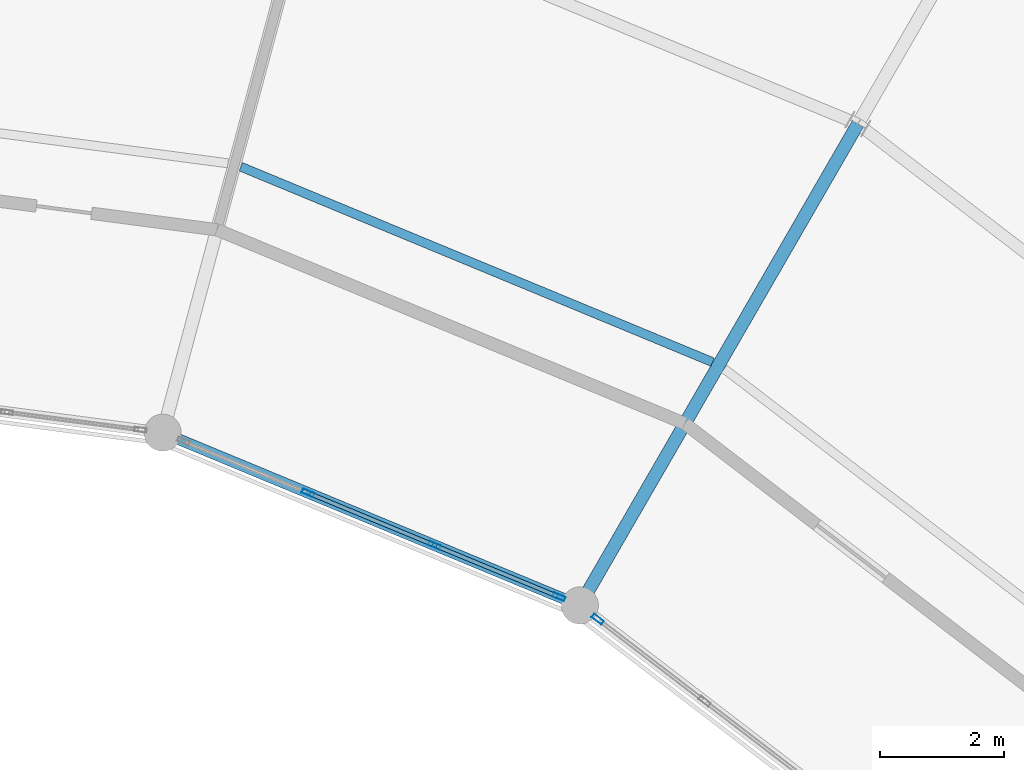
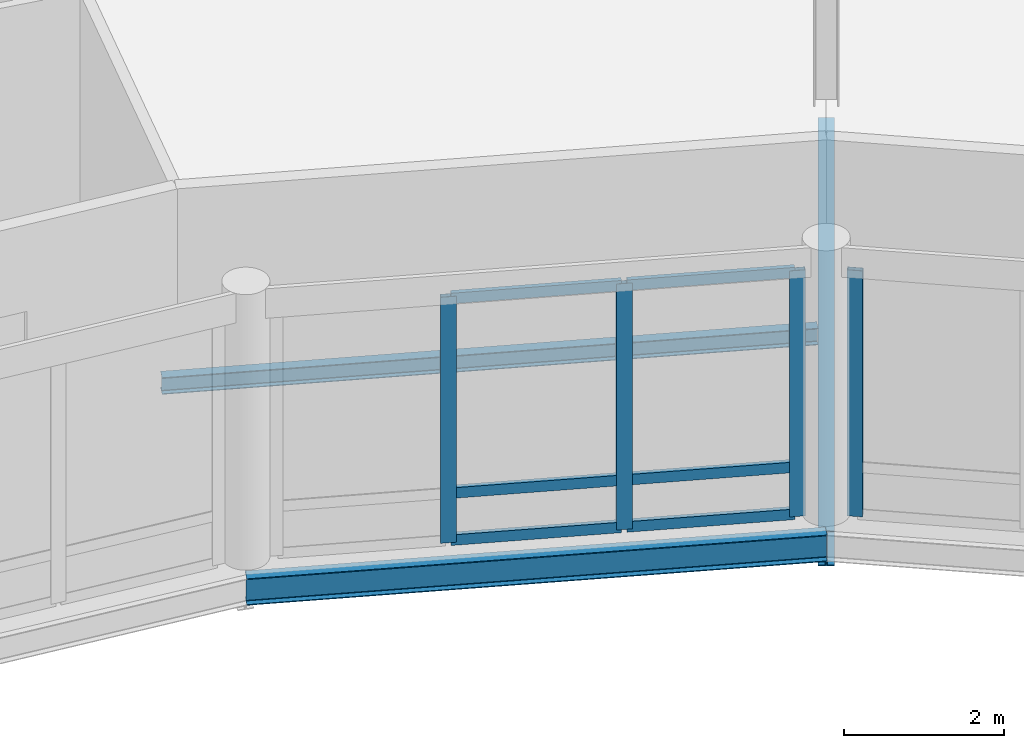
# One storey, part 80 of 170: 10 members, 3 beams, 2 elements without a shape of their own.
"""IFC4 building model written with IfcOpenShell, lengths in metres."""

from ifc_helpers import new_model, si_unit, direction, frame, origin, origin_2d, place, context, subcontext, project, spatial, hollow_rectangle, i_section, extrude, material, material_profile, profile_set, type_object, element, aggregate, save


model = new_model("IFC4")

# Units and contexts
model_context = context("Model", 3, precision=1e-05, world=origin(), true_north=direction((0.0, 1.0)))
body_context = subcontext(model_context, "Body", "Model", "MODEL_VIEW")
ifc_project = project(units=[si_unit("LENGTHUNIT", "METRE"), si_unit("AREAUNIT", "SQUARE_METRE"), si_unit("VOLUMEUNIT", "CUBIC_METRE"), si_unit("PLANEANGLEUNIT", "RADIAN"), si_unit("MASSUNIT", "GRAM", prefix="KILO")], contexts=[model_context])

# Site, building, storey
site_placement = place(None, origin())
site = spatial("IfcSite", under=ifc_project, at=site_placement, CompositionType="ELEMENT")
building_placement = place(site_placement, origin())
building = spatial("IfcBuilding", under=site, at=building_placement, Name="Vondelvale Polytechnic", CompositionType="ELEMENT")
storey_placement = place(building_placement, frame((0.0, 0.0, 5.39990234375)))
storey = spatial("IfcBuildingStorey", under=building, at=storey_placement, Name="L01", CompositionType="ELEMENT", Elevation=5.39990234375)

# Beams
ifc_material_1 = material(Name="Steel 300PLUS (fy = 300 MPa)", Category="steel")
ifc_material_profile_1 = material_profile(ifc_material_1, i_section(OverallWidth=0.177978515625, OverallDepth=0.406005859375, WebThickness=0.0078125, FlangeThickness=0.0126953125, FilletRadius=0.011474609375, at=origin_2d()), Name="410UB59.7")
ifc_profile_set_1 = profile_set([ifc_material_profile_1], Name="Steel 300PLUS (fy = 300 MPa)")
beam_type_1 = type_object("IfcBeamType", Name="BM-UB410", PredefinedType="BEAM", material=ifc_profile_set_1)
beam_1_placement = place(storey_placement, frame((116.0, 96.248779296875, -0.48291015625), z_axis=(-0.923886161226, 0.382667428841, 0.0), x_axis=(-0.382667428841, -0.923886161226, 0.0)))
element("IfcBeam", 1, at=beam_1_placement, inside=storey, type_object=beam_type_1, Name="L01 RB B-14", PredefinedType="BEAM", context=body_context, shape_type="SweptSolid", body=[
    extrude(i_section(OverallWidth=0.177978515625, OverallDepth=0.406005859375, WebThickness=0.0078125, FlangeThickness=0.0126953125, FilletRadius=0.011474609375, at=origin_2d()), origin(), (0.0, 0.0, 1.0), 7.3095703125),
])
ifc_material_profile_2 = material_profile(ifc_material_1, i_section(OverallWidth=0.208984375, OverallDepth=0.532958984375, WebThickness=0.01025390625, FlangeThickness=0.015625, FilletRadius=0.013916015625, at=origin_2d()), Name="530UB92.4")
ifc_profile_set_2 = profile_set([ifc_material_profile_2], Name="Steel 300PLUS (fy = 300 MPa)")
beam_type_2 = type_object("IfcBeamType", Name="BM-UB530", PredefinedType="BEAM", material=ifc_profile_set_2)
beam_2_placement = place(storey_placement, frame((116.0, 96.248779296875, -0.54638671875), z_axis=(0.5000018851, 0.866024315419, 0.0), x_axis=(-0.866024315419, 0.5000018851, 0.0)))
element("IfcBeam", 2, at=beam_2_placement, inside=storey, type_object=beam_type_2, Name="L01 RG B-11", PredefinedType="BEAM", context=body_context, shape_type="SweptSolid", body=[
    extrude(i_section(OverallWidth=0.208984375, OverallDepth=0.532958984375, WebThickness=0.01025390625, FlangeThickness=0.015625, FilletRadius=0.013916015625, at=origin_2d()), origin(), (0.0, 0.0, 1.0), 9.0),
])

# Curtain wall, member
ifc_material_2 = material(Name="Anodised extruded aluminium 6063-T6", Category="aluminium")
curtain_wall_type = type_object("IfcCurtainWallType", Name="CW-RING-CLOISTER", PredefinedType="NOTDEFINED", material=ifc_material_2)
curtain_wall_1_placement = place(storey_placement, origin())
curtain_wall_1 = element("IfcCurtainWall", 3, at=curtain_wall_1_placement, inside=storey, type_object=curtain_wall_type, Name="L01 architectural curtain wall CW-03-100", PredefinedType="NOTDEFINED")
ifc_material_profile_3 = material_profile(ifc_material_2, hollow_rectangle(XDim=0.070068359375, YDim=0.199951171875, WallThickness=0.00390625, at=origin_2d()), Name="CW-MUL-200x70")
ifc_profile_set_3 = profile_set([ifc_material_profile_3], Name="Anodised extruded aluminium 6063-T6")
member_type_1 = type_object("IfcMemberType", Name="CW-MUL-70x200", PredefinedType="MULLION", material=ifc_profile_set_3)
member_1_placement = place(storey_placement, frame((116.28857421875, 96.02734375, 0.0), z_axis=(0.0, 0.0, 1.0), x_axis=(-0.608747717793, -0.793363861089, 0.0)))
member_1 = element("IfcMember", 4, at=member_1_placement, type_object=member_type_1, Name="CW-03-100 mullion 4", PredefinedType="MULLION", context=body_context, shape_type="SweptSolid", body=[
    extrude(hollow_rectangle(XDim=0.070068359375, YDim=0.199951171875, WallThickness=0.00390625, at=origin_2d()), origin(), (0.0, 0.0, 1.0), 3.75),
])
aggregate(curtain_wall_1, [member_1])

# Curtain wall, members
curtain_wall_2_placement = place(storey_placement, origin())
curtain_wall_2 = element("IfcCurtainWall", 5, at=curtain_wall_2_placement, inside=storey, type_object=curtain_wall_type, Name="L01 architectural curtain wall CW-03-115", PredefinedType="NOTDEFINED")
member_2_placement = place(storey_placement, frame((115.662841796875, 96.388427734375, 0.0), z_axis=(0.0, 0.0, 1.0), x_axis=(-0.382678531697, -0.923881562419, 0.0)))
member_2 = element("IfcMember", 6, at=member_2_placement, type_object=member_type_1, Name="CW-03-115 mullion 1", PredefinedType="MULLION", context=body_context, shape_type="SweptSolid", body=[
    extrude(hollow_rectangle(XDim=0.070068359375, YDim=0.199951171875, WallThickness=0.00390625, at=origin_2d()), origin(), (0.0, 0.0, 1.0), 3.75),
])
member_3_placement = place(storey_placement, frame((113.647216796875, 97.22314453125, 0.0), z_axis=(0.0, 0.0, 1.0), x_axis=(-0.382678531697, -0.923881562419, 0.0)))
member_3 = element("IfcMember", 7, at=member_3_placement, type_object=member_type_1, Name="CW-03-115 mullion 2", PredefinedType="MULLION", context=body_context, shape_type="SweptSolid", body=[
    extrude(hollow_rectangle(XDim=0.070068359375, YDim=0.199951171875, WallThickness=0.00390625, at=origin_2d()), origin(), (0.0, 0.0, 1.0), 3.75),
])
member_4_placement = place(storey_placement, frame((111.599609375, 98.0712890625, 0.0), z_axis=(0.0, 0.0, 1.0), x_axis=(-0.382678531697, -0.923881562419, 0.0)))
member_4 = element("IfcMember", 8, at=member_4_placement, type_object=member_type_1, Name="CW-03-115 mullion 3", PredefinedType="MULLION", context=body_context, shape_type="SweptSolid", body=[
    extrude(hollow_rectangle(XDim=0.070068359375, YDim=0.199951171875, WallThickness=0.00390625, at=origin_2d()), origin(), (0.0, 0.0, 1.0), 3.75),
])
ifc_material_profile_4 = material_profile(ifc_material_2, hollow_rectangle(XDim=0.06494140625, YDim=0.159912109375, WallThickness=0.00341796875, at=origin_2d()), Name="CW-TRN-160x65")
ifc_profile_set_4 = profile_set([ifc_material_profile_4], Name="Anodised extruded aluminium 6063-T6")
member_type_2 = type_object("IfcMemberType", Name="CW-TRN-70x160", PredefinedType="USERDEFINED", material=ifc_profile_set_4)
member_5_placement = place(storey_placement, frame((115.63037109375, 96.40185546875, 0.03271484375), z_axis=(-0.923902685011, 0.382627532503, 0.0), x_axis=(-0.382627532503, -0.923902685011, 0.0)))
member_5 = element("IfcMember", 9, at=member_5_placement, type_object=member_type_2, Name="CW-03-115 transom 1.1", ObjectType="TRANSOM", PredefinedType="USERDEFINED", context=body_context, shape_type="SweptSolid", body=[
    extrude(hollow_rectangle(XDim=0.06494140625, YDim=0.159912109375, WallThickness=0.00341796875, at=origin_2d()), origin(), (0.0, 0.0, 1.0), 2.111328125),
])
member_6_placement = place(storey_placement, frame((115.63037109375, 96.40185546875, 0.75), z_axis=(-0.923902685011, 0.382627532503, 0.0), x_axis=(-0.382627532503, -0.923902685011, 0.0)))
member_6 = element("IfcMember", 10, at=member_6_placement, type_object=member_type_2, Name="CW-03-115 transom 1.2", ObjectType="TRANSOM", PredefinedType="USERDEFINED", context=body_context, shape_type="SweptSolid", body=[
    extrude(hollow_rectangle(XDim=0.06494140625, YDim=0.159912109375, WallThickness=0.00341796875, at=origin_2d()), origin(), (0.0, 0.0, 1.0), 2.111328125),
])
member_7_placement = place(storey_placement, frame((115.63037109375, 96.40185546875, 3.717529296875), z_axis=(-0.923902685011, 0.382627532503, 0.0), x_axis=(-0.382627532503, -0.923902685011, 0.0)))
member_7 = element("IfcMember", 11, at=member_7_placement, type_object=member_type_2, Name="CW-03-115 transom 1.3", ObjectType="TRANSOM", PredefinedType="USERDEFINED", context=body_context, shape_type="SweptSolid", body=[
    extrude(hollow_rectangle(XDim=0.06494140625, YDim=0.159912109375, WallThickness=0.00341796875, at=origin_2d()), origin(), (0.0, 0.0, 1.0), 2.111328125),
])
member_8_placement = place(storey_placement, frame((113.614990234375, 97.236572265625, 0.03271484375), z_axis=(-0.923865730094, 0.382716752649, 0.0), x_axis=(-0.382716752649, -0.923865730094, 0.0)))
member_8 = element("IfcMember", 12, at=member_8_placement, type_object=member_type_2, Name="CW-03-115 transom 2.1", ObjectType="TRANSOM", PredefinedType="USERDEFINED", context=body_context, shape_type="SweptSolid", body=[
    extrude(hollow_rectangle(XDim=0.06494140625, YDim=0.159912109375, WallThickness=0.00341796875, at=origin_2d()), origin(), (0.0, 0.0, 1.0), 2.146484375),
])
member_9_placement = place(storey_placement, frame((113.614990234375, 97.236572265625, 0.75), z_axis=(-0.923865730094, 0.382716752649, 0.0), x_axis=(-0.382716752649, -0.923865730094, 0.0)))
member_9 = element("IfcMember", 13, at=member_9_placement, type_object=member_type_2, Name="CW-03-115 transom 2.2", ObjectType="TRANSOM", PredefinedType="USERDEFINED", context=body_context, shape_type="SweptSolid", body=[
    extrude(hollow_rectangle(XDim=0.06494140625, YDim=0.159912109375, WallThickness=0.00341796875, at=origin_2d()), origin(), (0.0, 0.0, 1.0), 2.146484375),
])
member_10_placement = place(storey_placement, frame((113.614990234375, 97.236572265625, 3.717529296875), z_axis=(-0.923865730094, 0.382716752649, 0.0), x_axis=(-0.382716752649, -0.923865730094, 0.0)))
member_10 = element("IfcMember", 14, at=member_10_placement, type_object=member_type_2, Name="CW-03-115 transom 2.3", ObjectType="TRANSOM", PredefinedType="USERDEFINED", context=body_context, shape_type="SweptSolid", body=[
    extrude(hollow_rectangle(XDim=0.06494140625, YDim=0.159912109375, WallThickness=0.00341796875, at=origin_2d()), origin(), (0.0, 0.0, 1.0), 2.146484375),
])
aggregate(curtain_wall_2, [member_2, member_3, member_4, member_5, member_6, member_7, member_8, member_9, member_10])

# Beam
ifc_material_profile_5 = material_profile(ifc_material_1, i_section(OverallWidth=0.14599609375, OverallDepth=0.256103515625, WebThickness=0.00634765625, FlangeThickness=0.010986328125, FilletRadius=0.0087890625, at=origin_2d()), Name="250UB37.3")
ifc_profile_set_5 = profile_set([ifc_material_profile_5], Name="Steel 300PLUS (fy = 300 MPa)")
beam_type_3 = type_object("IfcBeamType", Name="JST-UB250", PredefinedType="JOIST", material=ifc_profile_set_5)
beam_3_placement = place(storey_placement, frame((118.1484375, 100.18798828125, -0.407958984375), z_axis=(-0.923880733098, 0.38268053388, 0.0), x_axis=(-0.38268053388, -0.923880733098, 0.0)))
element("IfcBeam", 15, at=beam_3_placement, inside=storey, type_object=beam_type_3, Name="L01 RJ J-06", PredefinedType="JOIST", context=body_context, shape_type="SweptSolid", body=[
    extrude(i_section(OverallWidth=0.14599609375, OverallDepth=0.256103515625, WebThickness=0.00634765625, FlangeThickness=0.010986328125, FilletRadius=0.0087890625, at=origin_2d()), origin(), (0.0, 0.0, 1.0), 8.264404296875),
])

save(model, "model.ifc")
